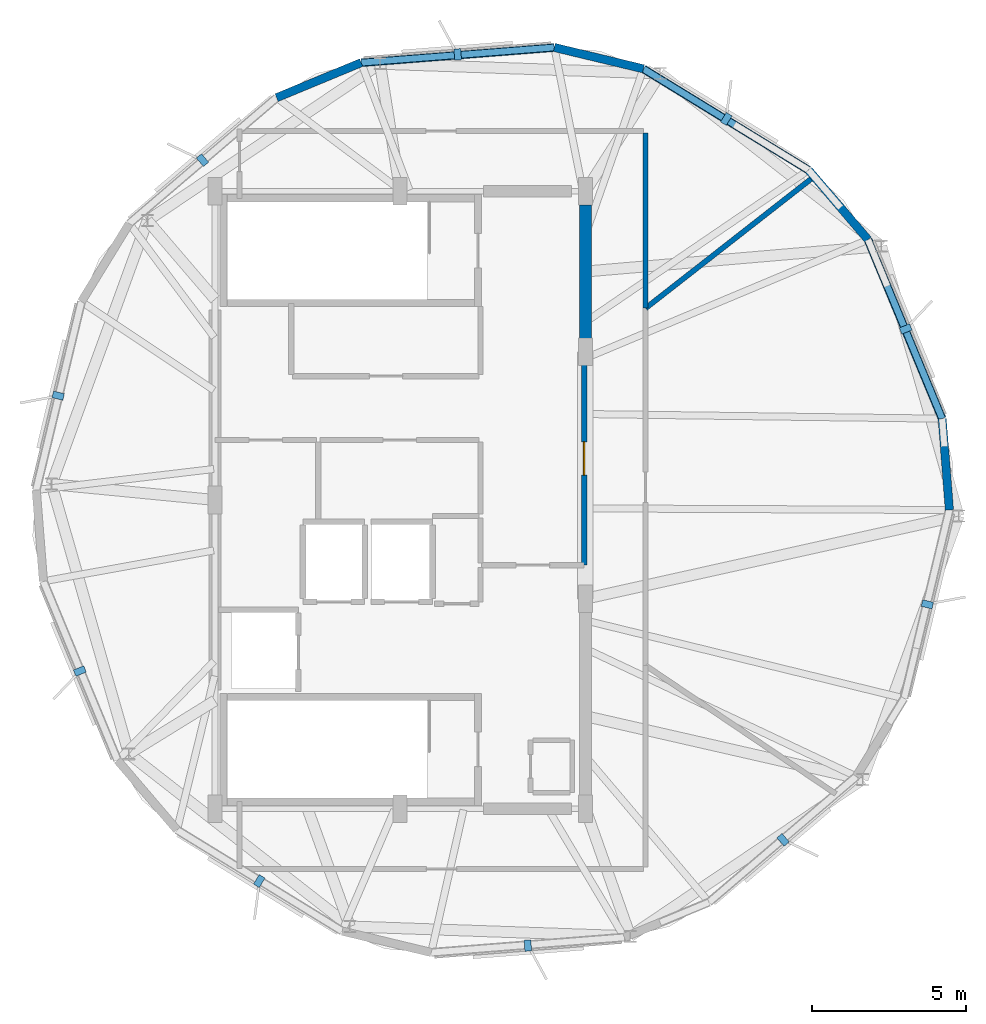
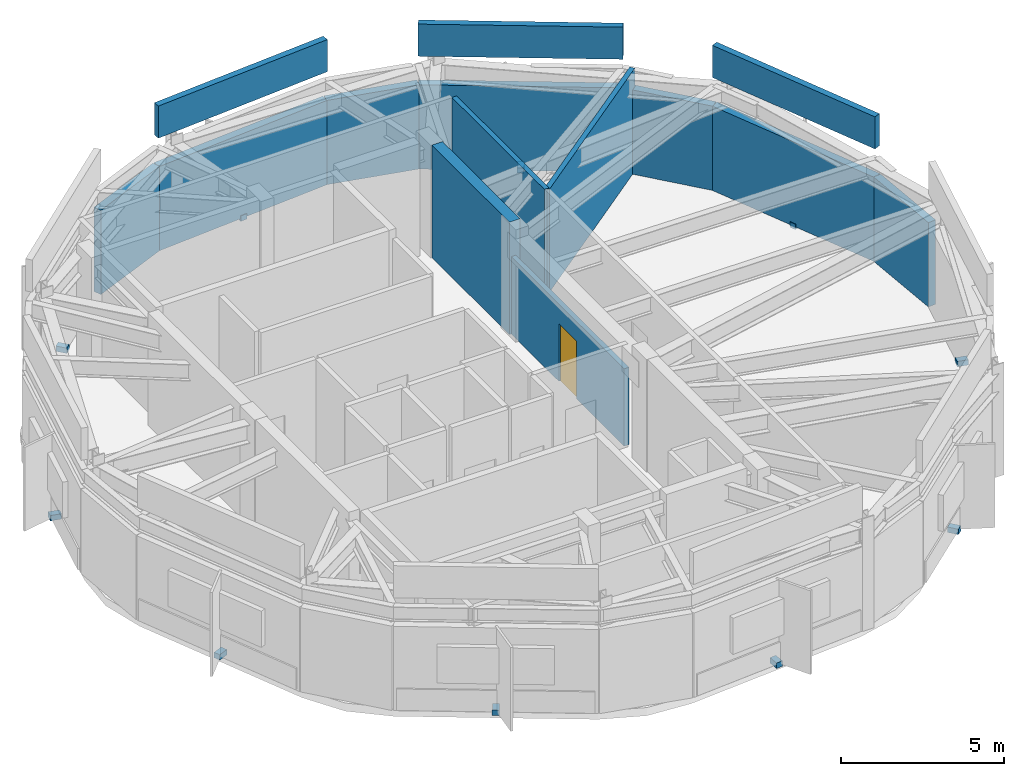
# One storey, part 4 of 5: 14 walls, 10 discrete accessories, 1 door, 1 opening.
"""IFC4 building model written with IfcOpenShell, lengths in metres."""

from ifc_helpers import new_model, si_unit, direction, frame, frame_2d, origin, origin_2d, place, context, subcontext, project, spatial, rectangle, extrude, material, layer, layer_set, type_object, element, fill, save


model = new_model("IFC4")

# Units and contexts
model_context = context("Model", 3, precision=1e-05, world=origin(), true_north=direction((0.0, 1.0)))
body_context = subcontext(model_context, "Body", "Model", "MODEL_VIEW")
ifc_project = project(units=[si_unit("LENGTHUNIT", "METRE"), si_unit("AREAUNIT", "SQUARE_METRE"), si_unit("VOLUMEUNIT", "CUBIC_METRE"), si_unit("PLANEANGLEUNIT", "RADIAN"), si_unit("MASSUNIT", "GRAM", prefix="KILO")], contexts=[model_context])

# Site, building, storey
site_placement = place(None, origin())
site = spatial("IfcSite", under=ifc_project, at=site_placement, CompositionType="ELEMENT")
building_placement = place(site_placement, origin())
building = spatial("IfcBuilding", under=site, at=building_placement, Name="Soratama Intermodal Tower", CompositionType="ELEMENT")
storey_placement = place(building_placement, frame((0.0, 0.0, 318.25)))
storey = spatial("IfcBuildingStorey", under=building, at=storey_placement, Name="L80", CompositionType="ELEMENT", Elevation=318.25)

# Walls
ifc_material_1 = material(Name="Concrete f'c 42 MPa", Category="concrete")
ifc_layer_1 = layer(ifc_material_1, 0.27001953125)
ifc_layer_set_1 = layer_set([ifc_layer_1], Name="Concrete f'c 42 MPa")
wall_type_1 = type_object("IfcWallType", Name="EW-CRN-270", PredefinedType="SOLIDWALL", material=ifc_layer_set_1)
wall_1_placement = place(storey_placement, frame((37.337890625, 39.165283203125, 0.0), z_axis=(0.0, 0.0, 1.0), x_axis=(-0.92386635704, -0.382715239219, 0.0)))
element("IfcWall", 1, at=wall_1_placement, inside=storey, type_object=wall_type_1, Name="L80 Corner Closure Wall 01", PredefinedType="SOLIDWALL", context=body_context, shape_type="SweptSolid", body=[
    extrude(rectangle(XDim=2.96630859375, YDim=0.27001953125, at=frame_2d((1.483154296875, 0.0))), origin(), (0.0, 0.0, 1.0), 3.14990234375),
])
wall_2_placement = place(storey_placement, frame((43.593505859375, 39.65771484375, 0.0), z_axis=(0.0, 0.0, 1.0), x_axis=(-0.996916036687, -0.078475574523, 0.0)))
element("IfcWall", 2, at=wall_2_placement, inside=storey, type_object=wall_type_1, Name="L80 Plant Wall F01", PredefinedType="SOLIDWALL", context=body_context, shape_type="SweptSolid", body=[
    extrude(rectangle(XDim=6.27490234375, YDim=0.27001953125, at=frame_2d((3.137451171875, 0.0))), origin(), (0.0, 0.0, 1.0), 3.14990234375),
])
wall_3_placement = place(storey_placement, frame((56.38916015625, 24.676025390625, 0.0), z_axis=(0.0, 0.0, 1.0), x_axis=(-0.078508783602, 0.996913421967, 0.0)))
element("IfcWall", 3, at=wall_3_placement, inside=storey, type_object=wall_type_1, Name="L80 Corner Closure Wall 08", PredefinedType="SOLIDWALL", context=body_context, shape_type="SweptSolid", body=[
    extrude(rectangle(XDim=2.966796875, YDim=0.27001953125, at=frame_2d((1.4833984375, 0.0))), origin(), (0.0, 0.0, 1.0), 3.14990234375),
])
wall_4_placement = place(storey_placement, frame((53.7548828125, 33.4306640625, 0.0), z_axis=(0.0, 0.0, 1.0), x_axis=(-0.649414474036, 0.760434639474, 0.0)))
element("IfcWall", 4, at=wall_4_placement, inside=storey, type_object=wall_type_1, Name="L80 Corner Closure Wall 09", PredefinedType="SOLIDWALL", context=body_context, shape_type="SweptSolid", body=[
    extrude(rectangle(XDim=2.966552734375, YDim=0.27001953125, at=frame_2d((1.4833984375, 0.0))), origin(), (0.0, 0.0, 1.0), 3.14990234375),
])
wall_5_placement = place(storey_placement, frame((56.15625, 27.633544921875, 0.0), z_axis=(0.0, 0.0, 1.0), x_axis=(-0.382700002881, 0.923872668605, 0.0)))
element("IfcWall", 5, at=wall_5_placement, inside=storey, type_object=wall_type_1, Name="L80 Plant Wall F09", PredefinedType="SOLIDWALL", context=body_context, shape_type="SweptSolid", body=[
    extrude(rectangle(XDim=6.27490234375, YDim=0.27001953125, at=frame_2d((3.137451171875, 0.0))), origin(), (0.0, 0.0, 1.0), 3.14990234375),
])
wall_6_placement = place(storey_placement, frame((46.478271484375, 38.965087890625, 0.0), z_axis=(0.0, 0.0, 1.0), x_axis=(-0.972365635375, 0.23346321154, 0.0)))
element("IfcWall", 6, at=wall_6_placement, inside=storey, type_object=wall_type_1, Name="L80 Corner Closure Wall 10", PredefinedType="SOLIDWALL", context=body_context, shape_type="SweptSolid", body=[
    extrude(rectangle(XDim=2.966796875, YDim=0.27001953125, at=frame_2d((1.4833984375, 0.0))), origin(), (0.0, 0.0, 1.0), 3.14990234375),
])
wall_7_placement = place(storey_placement, frame((51.828369140625, 35.6865234375, 0.0), z_axis=(0.0, 0.0, 1.0), x_axis=(-0.852638716479, 0.522500927425, 0.0)))
element("IfcWall", 7, at=wall_7_placement, inside=storey, type_object=wall_type_1, Name="L80 Plant Wall F10", PredefinedType="SOLIDWALL", context=body_context, shape_type="SweptSolid", body=[
    extrude(rectangle(XDim=6.274658203125, YDim=0.27001953125, at=frame_2d((3.13720703125, 0.0))), origin(), (0.0, 0.0, 1.0), 3.14990234375),
])
ifc_material_2 = material(Name="Precast concrete f'c 40 MPa", Category="concrete")
ifc_layer_2 = layer(ifc_material_2, 0.219970703125)
ifc_layer_set_2 = layer_set([ifc_layer_2], Name="Precast concrete f'c 40 MPa")
wall_type_2 = type_object("IfcWallType", Name="EW-PARAPET-220", PredefinedType="PARAPET", material=ifc_layer_set_2)
for number, where, z_axis, x_axis, name in (
    (8, (43.593505859375, 39.65771484375, 4.199951171875), (0.0, 0.0, 1.0), (-0.996916036687, -0.078475574523, 0.0), "L80 Crown Parapet 01"),
    (9, (56.15625, 27.633544921875, 4.199951171875), (0.0, 0.0, 1.0), (-0.382700002881, 0.923872668605, 0.0), "L80 Crown Parapet 09"),
):
    element("IfcWall", number, at=place(storey_placement, frame(where, z_axis=z_axis, x_axis=x_axis)), inside=storey, type_object=wall_type_2, Name=name, PredefinedType="PARAPET", context=body_context, shape_type="SweptSolid", body=[
        extrude(rectangle(XDim=6.27490234375, YDim=0.219970703125, at=frame_2d((3.137451171875, 0.0))), origin(), (0.0, 0.0, 1.0), 1.199951171875),
    ])
wall_8_placement = place(storey_placement, frame((51.828369140625, 35.6865234375, 4.199951171875), z_axis=(0.0, 0.0, 1.0), x_axis=(-0.852638716479, 0.522500927425, 0.0)))
element("IfcWall", 10, at=wall_8_placement, inside=storey, type_object=wall_type_2, Name="L80 Crown Parapet 10", PredefinedType="PARAPET", context=body_context, shape_type="SweptSolid", body=[
    extrude(rectangle(XDim=6.274658203125, YDim=0.219970703125, at=frame_2d((3.13720703125, 0.0))), origin(), (0.0, 0.0, 1.0), 1.199951171875),
])
ifc_material_3 = material(Name="Fire-rated gypsum stud partition", Category="concrete")
ifc_layer_3 = layer(ifc_material_3, 0.169921875)
ifc_layer_set_3 = layer_set([ifc_layer_3], Name="Fire-rated gypsum stud partition")
wall_type_3 = type_object("IfcWallType", Name="IW-PART-R170", PredefinedType="PARTITIONING", material=ifc_layer_set_3)
wall_9_placement = place(storey_placement, frame((52.04296875, 35.5029296875, 0.0), z_axis=(0.0, 0.0, 1.0), x_axis=(-0.788047206911, -0.615614814377, 0.0)))
element("IfcWall", 11, at=wall_9_placement, inside=storey, type_object=wall_type_3, Name="L80 Partition W-L80-TP005", PredefinedType="PARTITIONING", context=body_context, shape_type="SweptSolid", body=[
    extrude(rectangle(XDim=6.97021484375, YDim=0.169921875, at=frame_2d((3.485107421875, 0.0))), origin(), (0.0, 0.0, 1.0), 3.85009765625),
])

# Wall, opening, door
wall_10_placement = place(storey_placement, frame((44.56005859375, 29.800048828125, 0.0), z_axis=(0.0, 0.0, 1.0), x_axis=(0.0, -1.0, 0.0)))
wall_10 = element("IfcWall", 12, at=wall_10_placement, inside=storey, type_object=wall_type_3, Name="L80 Partition W-L80-TP006", PredefinedType="PARTITIONING", context=body_context, shape_type="SweptSolid", body=[
    extrude(rectangle(XDim=6.91015625, YDim=0.169921875, at=frame_2d((3.455078125, 0.0))), origin(), (0.0, 0.0, 1.0), 2.889892578125),
])
opening_placement = place(wall_10_placement, frame((2.9150390625, 0.0, 0.0)))
opening = element("IfcOpeningElement", 13, at=opening_placement, cuts=wall_10, Name="Opening ID-1", PredefinedType="OPENING", context=body_context, shape_type="SweptSolid", body=[
    extrude(rectangle(XDim=1.080078125, YDim=2.14990234375, at=frame_2d((0.5400390625, 1.074951171875))), frame((0.0, 0.094970703125, 0.0), z_axis=(0.0, -1.0, 0.0), x_axis=(1.0, 0.0, 0.0)), (0.0, 0.0, 1.0), 0.18994140625),
])
ifc_material_4 = material(Name="Solid hardwood acoustic door", Category="wood")
door_type = type_object("IfcDoorType", Name="DR-LOB-FD60", OperationType="NOTDEFINED", PredefinedType="DOOR", material=ifc_material_4)
door_placement = place(opening_placement, origin())
door = element("IfcDoor", 14, at=door_placement, inside=storey, type_object=door_type, Name="L80 Door D-L80-TP004", OperationType="SINGLE_SWING_LEFT", OverallHeight=2.14990234375, OverallWidth=1.080078125, PredefinedType="DOOR", context=body_context, shape_type="SweptSolid", body=[
    extrude(rectangle(XDim=1.080078125, YDim=2.14990234375, at=frame_2d((0.5400390625, 1.074951171875))), frame((0.0, 0.02490234375, 0.0), z_axis=(0.0, -1.0, 0.0), x_axis=(1.0, 0.0, 0.0)), (0.0, 0.0, 1.0), 0.050048828125),
])
fill(opening, door)

# Walls
wall_11_placement = place(storey_placement, frame((46.550048828125, 36.8798828125, 0.0), z_axis=(0.0, 0.0, 1.0), x_axis=(0.0, -1.0, 0.0)))
element("IfcWall", 15, at=wall_11_placement, inside=storey, type_object=wall_type_3, Name="L80 Partition W-L80-TP009", PredefinedType="PARTITIONING", context=body_context, shape_type="SweptSolid", body=[
    extrude(rectangle(XDim=5.66796875, YDim=0.169921875, at=frame_2d((2.833984375, 0.0))), origin(), (0.0, 0.0, 1.0), 3.85009765625),
])
ifc_material_5 = material(Name="Concrete f'c 56 MPa", Category="concrete")
ifc_layer_4 = layer(ifc_material_5, 0.3798828125)
ifc_layer_set_4 = layer_set([ifc_layer_4], Name="Concrete f'c 56 MPa")
wall_type_4 = type_object("IfcWallType", Name="SW-CORE-380", PredefinedType="SHEAR", material=ifc_layer_set_4)
wall_12_placement = place(storey_placement, frame((44.60009765625, 29.800048828125, 0.0), z_axis=(0.0, 0.0, 1.0), x_axis=(0.0, 1.0, 0.0)))
element("IfcWall", 16, at=wall_12_placement, inside=storey, type_object=wall_type_4, Name="L80 Core Shear Wall CW-EN", PredefinedType="SHEAR", context=body_context, shape_type="SweptSolid", body=[
    extrude(rectangle(XDim=4.75, YDim=0.3798828125, at=frame_2d((2.375, 0.0))), origin(), (0.0, 0.0, 1.0), 4.199951171875),
])

# Discrete accessories
ifc_material_6 = material(Name="Structural steel ASTM A992 Grade 50", Category="steel")
discrete_accessory_type = type_object("IfcDiscreteAccessoryType", Name="AC-FIN-BRACKET", PredefinedType="BRACKET", material=ifc_material_6)
for number, where, z_axis, x_axis, name in (
    (17, (40.464111328125, 39.431396484375, -0.080078125), (0.0, 0.0, 1.0), (-0.078459095728, 0.996917333733, 0.0), "L80 Fin Bracket F01-1"),
    (18, (32.198486328125, 36.0078125, -0.080078125), (0.0, 0.0, 1.0), (-0.64944804833, 0.7604059656, 0.0), "L80 Fin Bracket F02-1"),
    (19, (27.52392578125, 28.37939453125, -0.080078125), (0.0, 0.0, 1.0), (-0.972369920398, 0.233445363856, 0.0), "L80 Fin Bracket F03-1"),
    (20, (28.225830078125, 19.460205078125, -0.080078125), (0.0, 0.0, 1.0), (-0.923879532511, -0.382683432365, 0.0), "L80 Fin Bracket F04-1"),
    (21, (34.036376953125, 12.656982421875, -0.080078125), (0.0, 0.0, 1.0), (-0.522498564716, -0.852640164354, 0.0), "L80 Fin Bracket F05-1"),
    (22, (42.73583984375, 10.568603515625, -0.080078125), (0.0, 0.0, 1.0), (0.078459095728, -0.996917333733, 0.0), "L80 Fin Bracket F06-1"),
    (23, (51.00146484375, 13.9921875, -0.080078125), (0.0, 0.0, 1.0), (0.64944804833, -0.7604059656, 0.0), "L80 Fin Bracket F07-1"),
    (24, (55.676025390625, 21.62060546875, -0.080078125), (0.0, 0.0, 1.0), (0.972369920398, -0.233445363856, 0.0), "L80 Fin Bracket F08-1"),
    (25, (54.97412109375, 30.539794921875, -0.080078125), (0.0, 0.0, 1.0), (0.923879532511, 0.382683432365, 0.0), "L80 Fin Bracket F09-1"),
    (26, (49.163818359375, 37.343017578125, -0.080078125), (0.0, 0.0, 1.0), (0.522498564716, 0.852640164354, 0.0), "L80 Fin Bracket F10-1"),
):
    element("IfcDiscreteAccessory", number, at=place(storey_placement, frame(where, z_axis=z_axis, x_axis=x_axis)), inside=storey, type_object=discrete_accessory_type, Name=name, PredefinedType="BRACKET", context=body_context, shape_type="SweptSolid", body=[
        extrude(rectangle(XDim=0.360107421875, YDim=0.219970703125, at=origin_2d()), origin(), (0.0, 0.0, 1.0), 0.199951171875),
    ])

save(model, "model.ifc")
